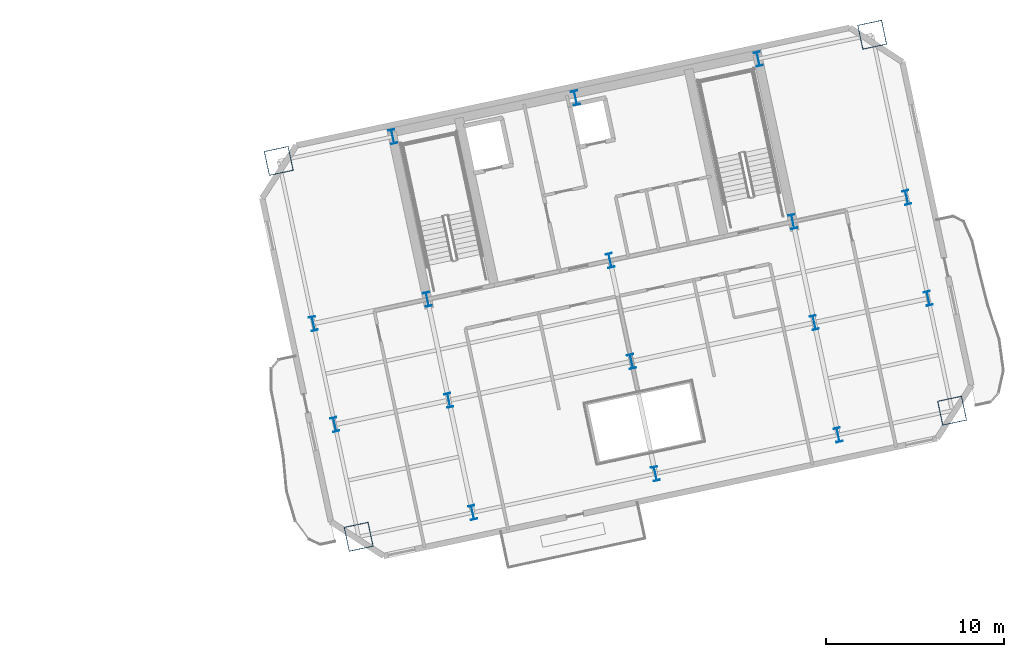
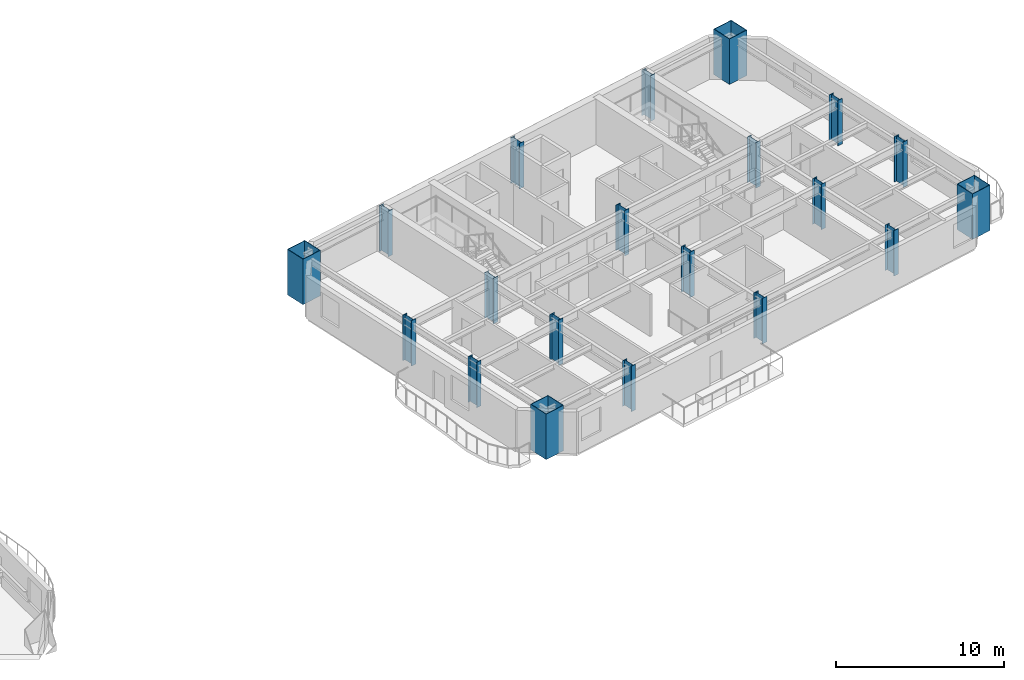
# One storey, part 2 of 14: 20 columns.
"""IFC4 building model written with IfcOpenShell, lengths in metres."""

from ifc_helpers import new_model, si_unit, direction, frame, origin, origin_2d, place, context, subcontext, project, spatial, hollow_rectangle, i_section, extrude, material, material_profile, profile_set, type_object, element, save


model = new_model("IFC4")

# Units and contexts
model_context = context("Model", 3, precision=1e-05, world=origin(), true_north=direction((0.0, 1.0)))
body_context = subcontext(model_context, "Body", "Model", "MODEL_VIEW")
ifc_project = project(units=[si_unit("LENGTHUNIT", "METRE"), si_unit("AREAUNIT", "SQUARE_METRE"), si_unit("VOLUMEUNIT", "CUBIC_METRE"), si_unit("PLANEANGLEUNIT", "RADIAN"), si_unit("MASSUNIT", "GRAM", prefix="KILO")], contexts=[model_context])

# Site, building, storey
site_placement = place(None, origin())
site = spatial("IfcSite", under=ifc_project, at=site_placement, CompositionType="ELEMENT")
building_placement = place(site_placement, origin())
building = spatial("IfcBuilding", under=site, at=building_placement, Name="Haevon Station Towers", CompositionType="ELEMENT")
storey_placement = place(building_placement, frame((0.0, 0.0, 116.39990234375)))
storey = spatial("IfcBuildingStorey", under=building, at=storey_placement, Name="L31", CompositionType="ELEMENT", Elevation=116.39990234375)

# Columns
ifc_material = material(Name="Steel S460", Category="steel")
ifc_material_profile_1 = material_profile(ifc_material, hollow_rectangle(XDim=1.39990234375, YDim=1.39990234375, WallThickness=0.035888671875, at=origin_2d()), Name="BOX-1400x1400x36")
ifc_profile_set_1 = profile_set([ifc_material_profile_1], Name="Steel S460")
column_type_1 = type_object("IfcColumnType", Name="COL-MC3", PredefinedType="COLUMN", material=ifc_profile_set_1)
for number, where, z_axis, x_axis, name in (
    (1, (94.892333984375, 24.098388671875, 0.0), (0.0, 0.0, 1.0), (0.978147600734, 0.207911690818, 0.0), "COL-T2-L31-01-01"),
    (2, (90.401611328125, 45.226318359375, 0.0), (0.0, 0.0, 1.0), (0.978147600734, 0.207911690818, 0.0), "COL-T2-L31-01-04"),
    (3, (128.247314453125, 31.18798828125, 0.0), (0.0, 0.0, 1.0), (0.978147600734, 0.207911690818, 0.0), "COL-T2-L31-05-01"),
    (4, (123.75634765625, 52.316162109375, 0.0), (0.0, 0.0, 1.0), (0.978147600734, 0.207911690818, 0.0), "COL-T2-L31-05-04"),
):
    element("IfcColumn", number, at=place(storey_placement, frame(where, z_axis=z_axis, x_axis=x_axis)), inside=storey, type_object=column_type_1, Name=name, PredefinedType="COLUMN", context=body_context, shape_type="SweptSolid", body=[
        extrude(hollow_rectangle(XDim=1.39990234375, YDim=1.39990234375, WallThickness=0.035888671875, at=origin_2d()), origin(), (0.0, 0.0, 1.0), 3.300048828125),
    ])
ifc_material_profile_2 = material_profile(ifc_material, i_section(OverallWidth=0.35009765625, OverallDepth=0.800048828125, WebThickness=0.01806640625, FlangeThickness=0.031982421875, at=origin_2d()), Name="H-800x350x18x32")
ifc_profile_set_2 = profile_set([ifc_material_profile_2], Name="Steel S460")
column_type_2 = type_object("IfcColumnType", Name="COL-TW2", PredefinedType="COLUMN", material=ifc_profile_set_2)
for number, where, z_axis, x_axis, name in (
    (5, (93.55126953125, 30.4072265625, 0.0), (0.0, 0.0, 1.0), (0.978147600734, 0.207911690818, 0.0), "COL-T2-L31-01-02"),
    (6, (92.345458984375, 36.08056640625, 0.0), (0.0, 0.0, 1.0), (0.978147600734, 0.207911690818, 0.0), "COL-T2-L31-01-03"),
    (7, (101.29931640625, 25.460205078125, 0.0), (0.0, 0.0, 1.0), (0.978147600734, 0.207911690818, 0.0), "COL-T2-L31-02-01"),
    (8, (99.958251953125, 31.76904296875, 0.0), (0.0, 0.0, 1.0), (0.978147600734, 0.207911690818, 0.0), "COL-T2-L31-02-02"),
    (9, (98.75244140625, 37.4423828125, 0.0), (0.0, 0.0, 1.0), (0.978147600734, 0.207911690818, 0.0), "COL-T2-L31-02-03"),
    (10, (96.808349609375, 46.588134765625, 0.0), (0.0, 0.0, 1.0), (0.978147600734, 0.207911690818, 0.0), "COL-T2-L31-02-04"),
    (11, (111.56982421875, 27.64306640625, 0.0), (0.0, 0.0, 1.0), (0.978147600734, 0.207911690818, 0.0), "COL-T2-L31-03-01"),
    (12, (110.228759765625, 33.9521484375, 0.0), (0.0, 0.0, 1.0), (0.978147600734, 0.207911690818, 0.0), "COL-T2-L31-03-02"),
    (13, (109.02294921875, 39.62548828125, 0.0), (0.0, 0.0, 1.0), (0.978147600734, 0.207911690818, 0.0), "COL-T2-L31-03-03"),
    (14, (107.078857421875, 48.771240234375, 0.0), (0.0, 0.0, 1.0), (0.978147600734, 0.207911690818, 0.0), "COL-T2-L31-03-04"),
    (15, (121.84033203125, 29.826171875, 0.0), (0.0, 0.0, 1.0), (0.978147600734, 0.207911690818, 0.0), "COL-T2-L31-04-01"),
    (16, (120.499267578125, 36.13525390625, 0.0), (0.0, 0.0, 1.0), (0.978147600734, 0.207911690818, 0.0), "COL-T2-L31-04-02"),
    (17, (119.29345703125, 41.80859375, 0.0), (0.0, 0.0, 1.0), (0.978147600734, 0.207911690818, 0.0), "COL-T2-L31-04-03"),
    (18, (117.349365234375, 50.954345703125, 0.0), (0.0, 0.0, 1.0), (0.978147600734, 0.207911690818, 0.0), "COL-T2-L31-04-04"),
    (19, (126.90625, 37.4970703125, 0.0), (0.0, 0.0, 1.0), (0.978147600734, 0.207911690818, 0.0), "COL-T2-L31-05-02"),
    (20, (125.7001953125, 43.17041015625, 0.0), (0.0, 0.0, 1.0), (0.978147600734, 0.207911690818, 0.0), "COL-T2-L31-05-03"),
):
    element("IfcColumn", number, at=place(storey_placement, frame(where, z_axis=z_axis, x_axis=x_axis)), inside=storey, type_object=column_type_2, Name=name, PredefinedType="COLUMN", context=body_context, shape_type="SweptSolid", body=[
        extrude(i_section(OverallWidth=0.35009765625, OverallDepth=0.800048828125, WebThickness=0.01806640625, FlangeThickness=0.031982421875, at=origin_2d()), origin(), (0.0, 0.0, 1.0), 3.300048828125),
    ])

save(model, "model.ifc")
